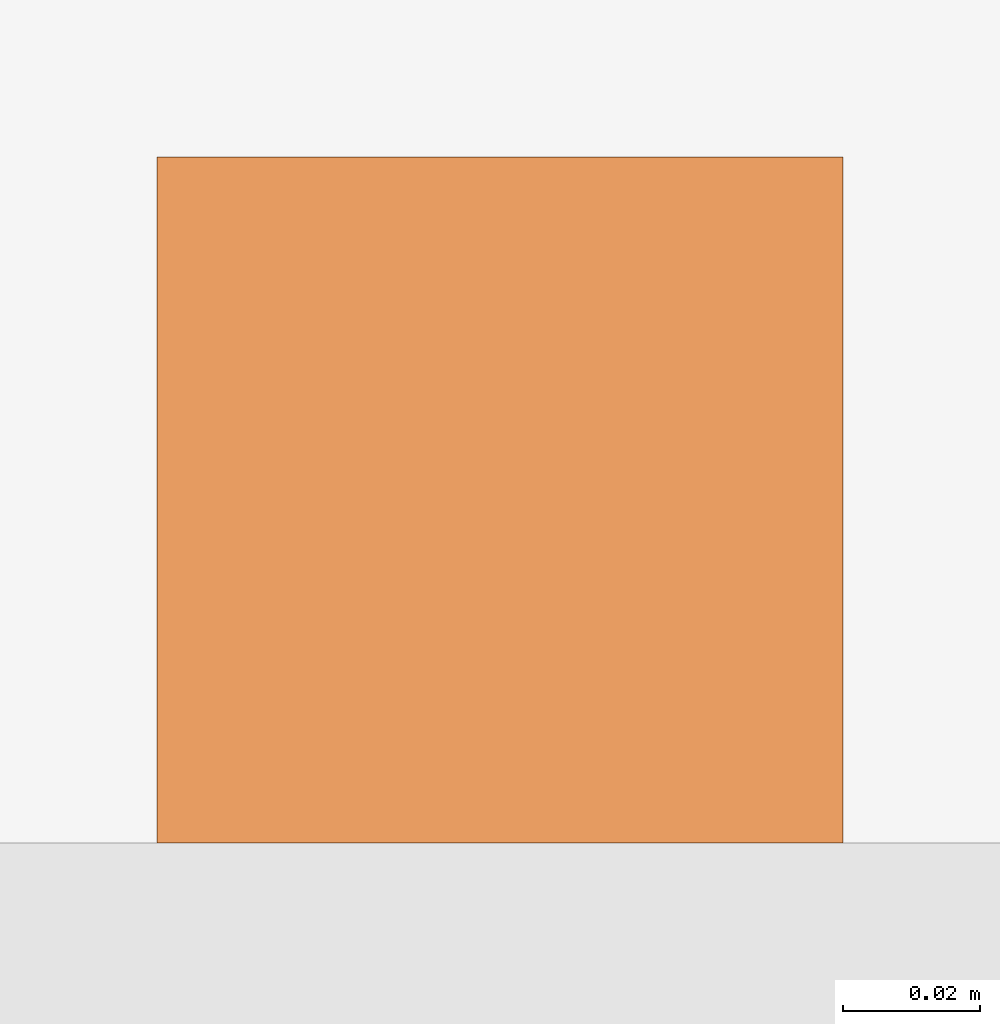
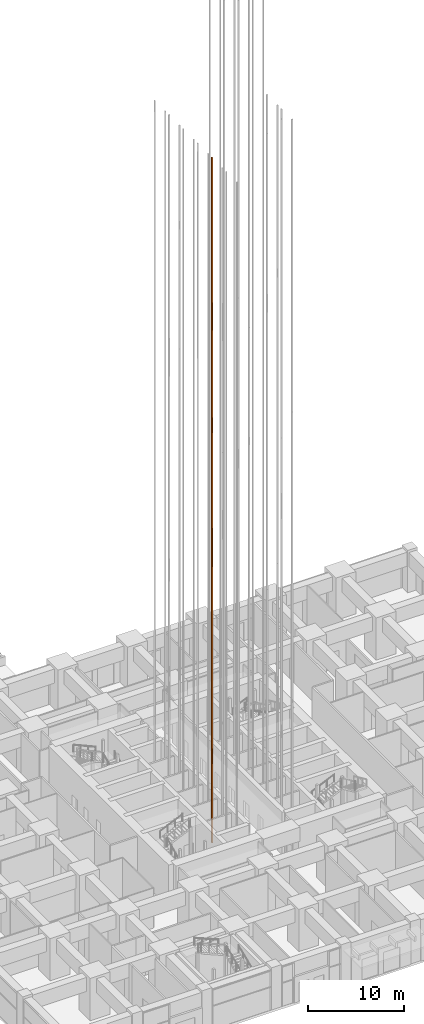
# One storey, part 61 of 81: 1 proxy.
"""IFC4 building model written with IfcOpenShell, lengths in metres."""

from ifc_helpers import new_model, si_unit, direction, frame, origin, origin_2d, place, context, subcontext, project, spatial, rectangle, extrude, material, type_object, element, save


model = new_model("IFC4")

# Units and contexts
model_context = context("Model", 3, precision=1e-05, world=origin(), true_north=direction((0.0, 1.0)))
body_context = subcontext(model_context, "Body", "Model", "MODEL_VIEW")
ifc_project = project(units=[si_unit("LENGTHUNIT", "METRE"), si_unit("AREAUNIT", "SQUARE_METRE"), si_unit("VOLUMEUNIT", "CUBIC_METRE"), si_unit("PLANEANGLEUNIT", "RADIAN"), si_unit("MASSUNIT", "GRAM", prefix="KILO")], contexts=[model_context])

# Site, building, storey
site_placement = place(None, origin())
site = spatial("IfcSite", under=ifc_project, at=site_placement, CompositionType="ELEMENT")
building_placement = place(site_placement, origin())
building = spatial("IfcBuilding", under=site, at=building_placement, Name="Rekha Terrace Tower", CompositionType="ELEMENT")
storey_placement = place(building_placement, origin())
storey = spatial("IfcBuildingStorey", under=building, at=storey_placement, Name="L00", CompositionType="ELEMENT", Elevation=0.0)

# Proxy
ifc_material = material(Name="Steel guide rail", Category="steel")
building_element_proxy_type = type_object("IfcBuildingElementProxyType", Name="LR1 100 lift guide rail", PredefinedType="ELEMENT", material=ifc_material)
proxy_placement = place(storey_placement, frame((34.5, 29.0, 0.0), z_axis=(0.0, 0.0, 1.0), x_axis=(1.0, 0.0, 0.0)))
element("IfcBuildingElementProxy", 1, at=proxy_placement, inside=storey, type_object=building_element_proxy_type, Name="Lift A2 guide rail 2", PredefinedType="ELEMENT", context=body_context, shape_type="SweptSolid", body=[
    extrude(rectangle(XDim=0.10009765625, YDim=0.10009765625, at=origin_2d()), origin(), (0.0, 0.0, 1.0), 87.5),
])

save(model, "model.ifc")
